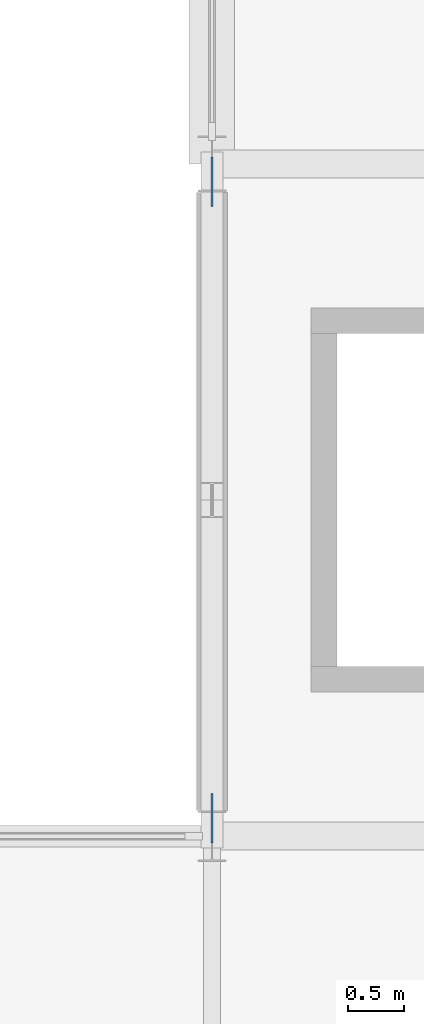
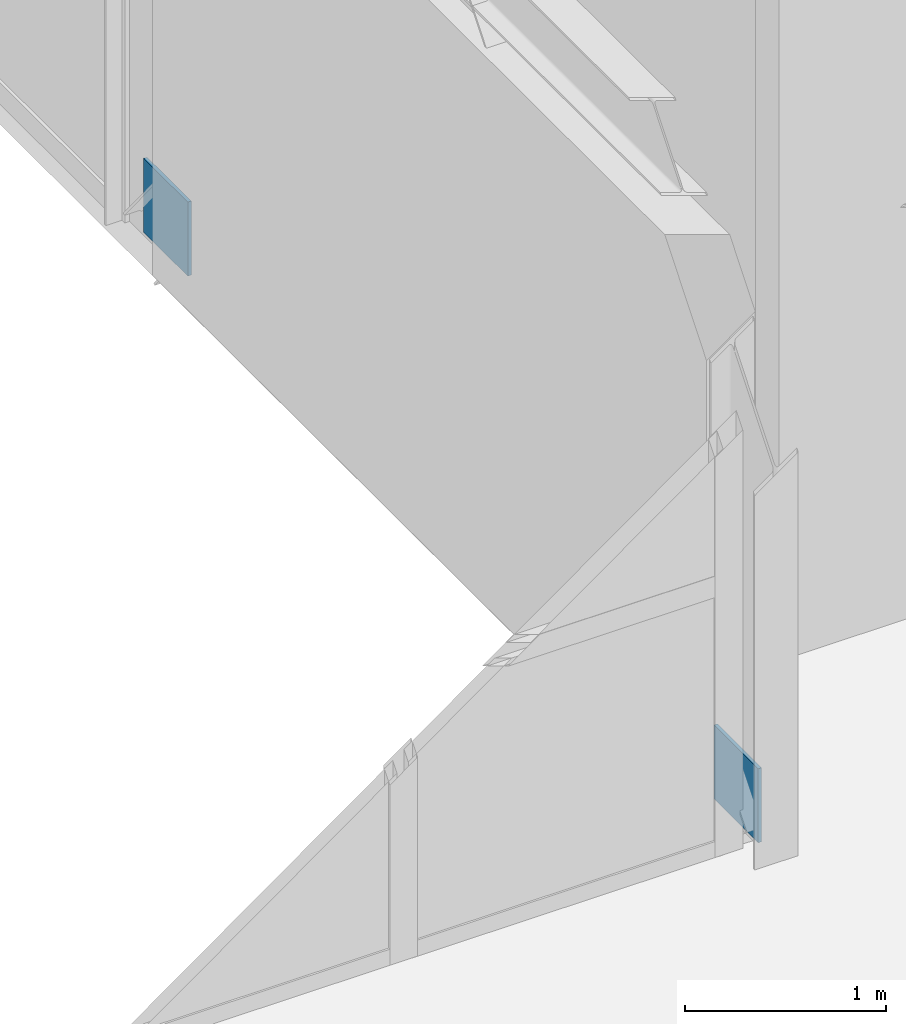
# One storey, part 73 of 83: 2 discrete accessories.
"""IFC4 building model written with IfcOpenShell, lengths in metres."""

from ifc_helpers import new_model, si_unit, direction, frame, origin, origin_2d, place, context, subcontext, project, spatial, rectangle, extrude, material, layer, layer_set, type_object, element, save


model = new_model("IFC4")

# Units and contexts
model_context = context("Model", 3, precision=1e-05, world=origin(), true_north=direction((0.0, 1.0)))
body_context = subcontext(model_context, "Body", "Model", "MODEL_VIEW")
ifc_project = project(units=[si_unit("LENGTHUNIT", "METRE"), si_unit("AREAUNIT", "SQUARE_METRE"), si_unit("VOLUMEUNIT", "CUBIC_METRE"), si_unit("PLANEANGLEUNIT", "RADIAN"), si_unit("MASSUNIT", "GRAM", prefix="KILO")], contexts=[model_context])

# Site, building, storey
site_placement = place(None, origin())
site = spatial("IfcSite", under=ifc_project, at=site_placement, CompositionType="ELEMENT")
building_placement = place(site_placement, origin())
building = spatial("IfcBuilding", under=site, at=building_placement, Name="Varnakota Square Police Headquarters", CompositionType="ELEMENT")
storey_placement = place(building_placement, frame((0.0, 0.0, 18.0)))
storey = spatial("IfcBuildingStorey", under=building, at=storey_placement, Name="L04", CompositionType="ELEMENT", Elevation=18.0)

# Discrete accessories
ifc_material = material(Name="Steel IS 2062 Grade 350", Category="steel")
ifc_layer = layer(ifc_material, 0.64990234375, Name="Steel IS 2062 Grade 350")
ifc_layer_set = layer_set([ifc_layer], Name="Steel IS 2062 Grade 350")
discrete_accessory_type = type_object("IfcDiscreteAccessoryType", Name="ACC-EMB-350", PredefinedType="BRACKET", material=ifc_layer_set)
for number, where, z_axis, x_axis, name in (
    (1, (138.0, 15.159912109375, 0.02490234375), (0.0, 0.0, 1.0), (0.0, 1.0, 0.0), "Brace gusset connection plate BF2 L04 L"),
    (2, (138.0, 20.840087890625, 0.02490234375), (0.0, 0.0, 1.0), (0.0, 1.0, 0.0), "Brace gusset connection plate BF2 L04 R"),
):
    element("IfcDiscreteAccessory", number, at=place(storey_placement, frame(where, z_axis=z_axis, x_axis=x_axis)), inside=storey, type_object=discrete_accessory_type, Name=name, PredefinedType="BRACKET", context=body_context, shape_type="SweptSolid", body=[
        extrude(rectangle(XDim=0.43994140625, YDim=0.02001953125, at=origin_2d()), origin(), (0.0, 0.0, 1.0), 0.449951171875),
    ])

save(model, "model.ifc")
